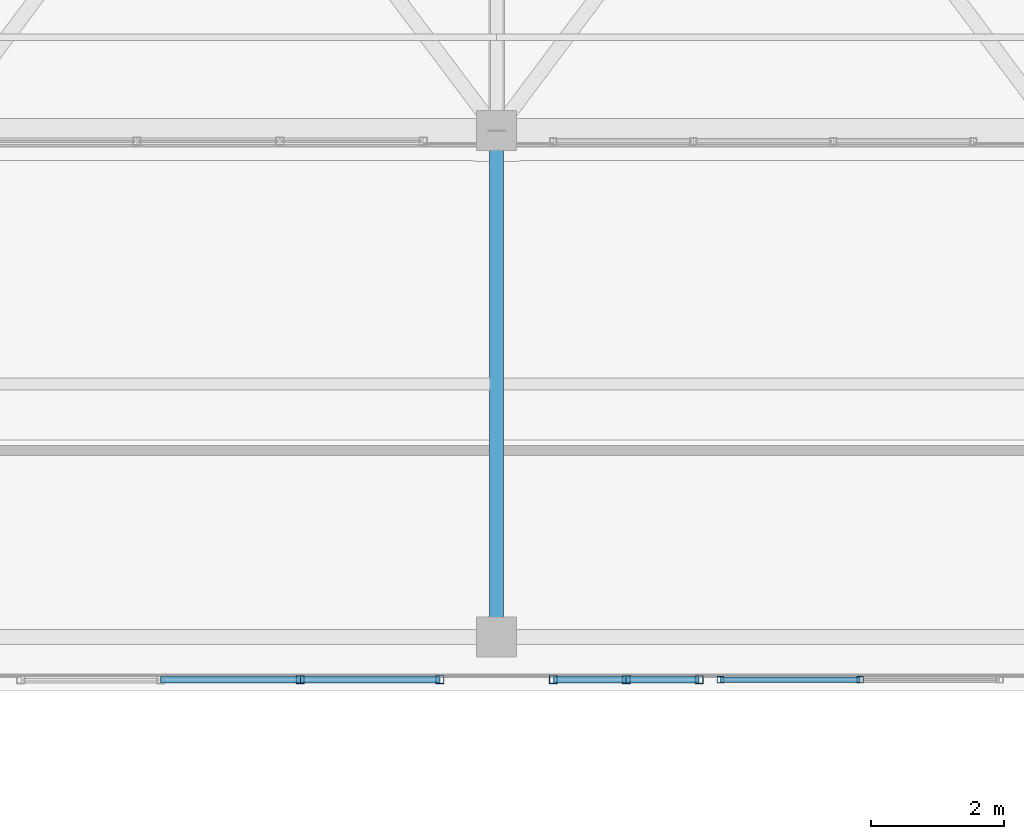
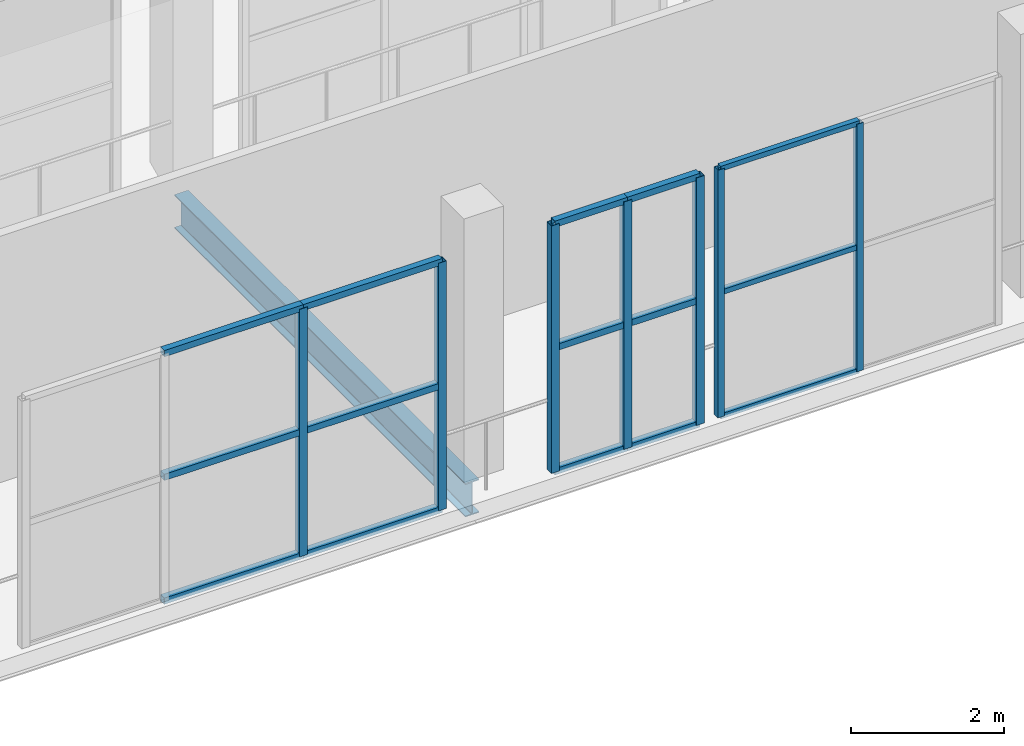
# One storey, part 85 of 217: 22 members, 1 beam, 3 elements without a shape of their own.
"""IFC4 building model written with IfcOpenShell, lengths in metres."""

from ifc_helpers import new_model, si_unit, direction, frame, origin, origin_2d, place, context, subcontext, project, spatial, hollow_rectangle, i_section, extrude, material, material_profile, profile_set, type_object, element, aggregate, save


model = new_model("IFC4")

# Units and contexts
model_context = context("Model", 3, precision=1e-05, world=origin(), true_north=direction((0.0, 1.0)))
body_context = subcontext(model_context, "Body", "Model", "MODEL_VIEW")
ifc_project = project(units=[si_unit("LENGTHUNIT", "METRE"), si_unit("AREAUNIT", "SQUARE_METRE"), si_unit("VOLUMEUNIT", "CUBIC_METRE"), si_unit("PLANEANGLEUNIT", "RADIAN"), si_unit("MASSUNIT", "GRAM", prefix="KILO")], contexts=[model_context])

# Site, building, storey
site_placement = place(None, origin())
site = spatial("IfcSite", under=ifc_project, at=site_placement, CompositionType="ELEMENT")
building_placement = place(site_placement, origin())
building = spatial("IfcBuilding", under=site, at=building_placement, Name="Zuvorla Pavilion Media Centre", CompositionType="ELEMENT")
storey_placement = place(building_placement, frame((0.0, 0.0, 9.60009765625)))
storey = spatial("IfcBuildingStorey", under=building, at=storey_placement, Name="L02", CompositionType="ELEMENT", Elevation=9.60009765625)

# Beam
ifc_material_1 = material(Name="Steel S355", Category="steel")
ifc_material_profile_1 = material_profile(ifc_material_1, i_section(OverallWidth=0.2099609375, OverallDepth=0.53662109375, WebThickness=0.0107421875, FlangeThickness=0.017333984375, FilletRadius=0.0126953125, at=origin_2d()), Name="UB 533x210x101")
ifc_profile_set_1 = profile_set([ifc_material_profile_1], Name="Steel S355")
beam_type = type_object("IfcBeamType", Name="BM-UB533", PredefinedType="BEAM", material=ifc_profile_set_1)
beam_placement = place(storey_placement, frame((108.800048828125, 82.0, -0.536376953125), z_axis=(0.0, 1.0, 0.0), x_axis=(-1.0, 0.0, 0.0)))
element("IfcBeam", 1, at=beam_placement, inside=storey, type_object=beam_type, Name="L02 beam B08 960", PredefinedType="BEAM", context=body_context, shape_type="SweptSolid", body=[
    extrude(i_section(OverallWidth=0.2099609375, OverallDepth=0.53662109375, WebThickness=0.0107421875, FlangeThickness=0.017333984375, FilletRadius=0.0126953125, at=origin_2d()), origin(), (0.0, 0.0, 1.0), 7.60009765625),
])

# Curtain wall, members
ifc_material_2 = material(Name="Unitised anodised aluminium and solar glass curtain wall", Category="aluminium")
curtain_wall_type_1 = type_object("IfcCurtainWallType", Name="CW-SYS-52", PredefinedType="USERDEFINED", material=ifc_material_2)
curtain_wall_1_placement = place(storey_placement, origin())
curtain_wall_1 = element("IfcCurtainWall", 2, at=curtain_wall_1_placement, inside=storey, type_object=curtain_wall_type_1, Name="L02 curtain wall CW52 78", ObjectType="CURTAIN WALL", PredefinedType="USERDEFINED")
ifc_material_3 = material(Name="Anodised aluminium 6063-T6", Category="aluminium")
ifc_material_profile_2 = material_profile(ifc_material_3, hollow_rectangle(XDim=0.10009765625, YDim=0.10009765625, WallThickness=0.00439453125, at=origin_2d()), Name="ALU MULL 100x100")
ifc_profile_set_2 = profile_set([ifc_material_profile_2], Name="Anodised aluminium 6063-T6")
member_type_1 = type_object("IfcMemberType", Name="CW-MULL-100", PredefinedType="MULLION", material=ifc_profile_set_2)
member_1_placement = place(storey_placement, frame((114.2548828125, 81.360107421875, 0.0), z_axis=(0.0, 0.0, 1.0), x_axis=(1.0, 0.0, 0.0)))
member_1 = element("IfcMember", 3, at=member_1_placement, type_object=member_type_1, Name="CW52 mullion 2", PredefinedType="MULLION", context=body_context, shape_type="SweptSolid", body=[
    extrude(hollow_rectangle(XDim=0.10009765625, YDim=0.10009765625, WallThickness=0.00439453125, at=origin_2d()), origin(), (0.0, 0.0, 1.0), 3.949951171875),
])
member_2_placement = place(storey_placement, frame((112.159912109375, 81.360107421875, 0.0), z_axis=(0.0, 0.0, 1.0), x_axis=(1.0, 0.0, 0.0)))
member_2 = element("IfcMember", 4, at=member_2_placement, type_object=member_type_1, Name="CW52 mullion 3", PredefinedType="MULLION", context=body_context, shape_type="SweptSolid", body=[
    extrude(hollow_rectangle(XDim=0.10009765625, YDim=0.10009765625, WallThickness=0.00439453125, at=origin_2d()), origin(), (0.0, 0.0, 1.0), 3.949951171875),
])

curtain_wall_type_2 = type_object("IfcCurtainWallType", Name="CW-SYS-50", PredefinedType="USERDEFINED", material=ifc_material_2)
curtain_wall_2_placement = place(storey_placement, origin())
curtain_wall_2 = element("IfcCurtainWall", 5, at=curtain_wall_2_placement, inside=storey, type_object=curtain_wall_type_2, Name="L02 curtain wall CW50 73", ObjectType="CURTAIN WALL", PredefinedType="USERDEFINED")
ifc_material_profile_3 = material_profile(ifc_material_3, hollow_rectangle(XDim=0.1201171875, YDim=0.1201171875, WallThickness=0.0048828125, at=origin_2d()), Name="ALU MULL 120x120")
ifc_profile_set_3 = profile_set([ifc_material_profile_3], Name="Anodised aluminium 6063-T6")
member_type_2 = type_object("IfcMemberType", Name="CW-MULL-120", PredefinedType="MULLION", material=ifc_profile_set_3)
member_3_placement = place(storey_placement, frame((111.840087890625, 81.360107421875, 0.0), z_axis=(0.0, 0.0, 1.0), x_axis=(1.0, 0.0, 0.0)))
member_3 = element("IfcMember", 6, at=member_3_placement, type_object=member_type_2, Name="CW50 mullion 1", PredefinedType="MULLION", context=body_context, shape_type="SweptSolid", body=[
    extrude(hollow_rectangle(XDim=0.1201171875, YDim=0.1201171875, WallThickness=0.0048828125, at=origin_2d()), origin(), (0.0, 0.0, 1.0), 3.949951171875),
])
member_4_placement = place(storey_placement, frame((110.7451171875, 81.360107421875, 0.0), z_axis=(0.0, 0.0, 1.0), x_axis=(1.0, 0.0, 0.0)))
member_4 = element("IfcMember", 7, at=member_4_placement, type_object=member_type_2, Name="CW50 mullion 2", PredefinedType="MULLION", context=body_context, shape_type="SweptSolid", body=[
    extrude(hollow_rectangle(XDim=0.1201171875, YDim=0.1201171875, WallThickness=0.0048828125, at=origin_2d()), origin(), (0.0, 0.0, 1.0), 3.949951171875),
])
member_5_placement = place(storey_placement, frame((109.650390625, 81.360107421875, 0.0), z_axis=(0.0, 0.0, 1.0), x_axis=(1.0, 0.0, 0.0)))
member_5 = element("IfcMember", 8, at=member_5_placement, type_object=member_type_2, Name="CW50 mullion 3", PredefinedType="MULLION", context=body_context, shape_type="SweptSolid", body=[
    extrude(hollow_rectangle(XDim=0.1201171875, YDim=0.1201171875, WallThickness=0.0048828125, at=origin_2d()), origin(), (0.0, 0.0, 1.0), 3.949951171875),
])

curtain_wall_type_3 = type_object("IfcCurtainWallType", Name="CW-SYS-12", PredefinedType="USERDEFINED", material=ifc_material_2)
curtain_wall_3_placement = place(storey_placement, origin())
curtain_wall_3 = element("IfcCurtainWall", 9, at=curtain_wall_3_placement, inside=storey, type_object=curtain_wall_type_3, Name="L02 curtain wall CW12 74", ObjectType="CURTAIN WALL", PredefinedType="USERDEFINED")
member_6_placement = place(storey_placement, frame((107.94970703125, 81.360107421875, 0.0), z_axis=(0.0, 0.0, 1.0), x_axis=(1.0, 0.0, 0.0)))
member_6 = element("IfcMember", 10, at=member_6_placement, type_object=member_type_2, Name="CW12 mullion 1", PredefinedType="MULLION", context=body_context, shape_type="SweptSolid", body=[
    extrude(hollow_rectangle(XDim=0.1201171875, YDim=0.1201171875, WallThickness=0.0048828125, at=origin_2d()), origin(), (0.0, 0.0, 1.0), 3.949951171875),
])
member_7_placement = place(storey_placement, frame((105.85302734375, 81.360107421875, 0.0), z_axis=(0.0, 0.0, 1.0), x_axis=(1.0, 0.0, 0.0)))
member_7 = element("IfcMember", 11, at=member_7_placement, type_object=member_type_2, Name="CW12 mullion 2", PredefinedType="MULLION", context=body_context, shape_type="SweptSolid", body=[
    extrude(hollow_rectangle(XDim=0.1201171875, YDim=0.1201171875, WallThickness=0.0048828125, at=origin_2d()), origin(), (0.0, 0.0, 1.0), 3.949951171875),
])

# Member
ifc_material_profile_4 = material_profile(ifc_material_3, hollow_rectangle(XDim=0.10009765625, YDim=0.10009765625, WallThickness=0.00439453125, at=origin_2d()), Name="ALU TRAN 100x100")
ifc_profile_set_4 = profile_set([ifc_material_profile_4], Name="Anodised aluminium 6063-T6")
member_type_3 = type_object("IfcMemberType", Name="CW-TRAN-100", PredefinedType="USERDEFINED", material=ifc_profile_set_4)
member_8_placement = place(storey_placement, frame((111.840087890625, 81.360107421875, 0.0), z_axis=(-1.0, 0.0, 0.0), x_axis=(0.0, -1.0, 0.0)))
member_8 = element("IfcMember", 12, at=member_8_placement, type_object=member_type_3, Name="CW50 transom 1.1", ObjectType="TRANSOM", PredefinedType="USERDEFINED", context=body_context, shape_type="SweptSolid", body=[
    extrude(hollow_rectangle(XDim=0.10009765625, YDim=0.10009765625, WallThickness=0.00439453125, at=origin_2d()), origin(), (0.0, 0.0, 1.0), 1.094970703125),
])

member_9_placement = place(storey_placement, frame((111.840087890625, 81.360107421875, 1.974853515625), z_axis=(-1.0, 0.0, 0.0), x_axis=(0.0, -1.0, 0.0)))
member_9 = element("IfcMember", 13, at=member_9_placement, type_object=member_type_3, Name="CW50 transom 1.2", ObjectType="TRANSOM", PredefinedType="USERDEFINED", context=body_context, shape_type="SweptSolid", body=[
    extrude(hollow_rectangle(XDim=0.10009765625, YDim=0.10009765625, WallThickness=0.00439453125, at=origin_2d()), origin(), (0.0, 0.0, 1.0), 1.094970703125),
])

member_10_placement = place(storey_placement, frame((111.840087890625, 81.360107421875, 3.949951171875), z_axis=(-1.0, 0.0, 0.0), x_axis=(0.0, -1.0, 0.0)))
member_10 = element("IfcMember", 14, at=member_10_placement, type_object=member_type_3, Name="CW50 transom 1.3", ObjectType="TRANSOM", PredefinedType="USERDEFINED", context=body_context, shape_type="SweptSolid", body=[
    extrude(hollow_rectangle(XDim=0.10009765625, YDim=0.10009765625, WallThickness=0.00439453125, at=origin_2d()), origin(), (0.0, 0.0, 1.0), 1.094970703125),
])

member_11_placement = place(storey_placement, frame((110.7451171875, 81.360107421875, 0.0), z_axis=(-1.0, 0.0, 0.0), x_axis=(0.0, -1.0, 0.0)))
member_11 = element("IfcMember", 15, at=member_11_placement, type_object=member_type_3, Name="CW50 transom 2.1", ObjectType="TRANSOM", PredefinedType="USERDEFINED", context=body_context, shape_type="SweptSolid", body=[
    extrude(hollow_rectangle(XDim=0.10009765625, YDim=0.10009765625, WallThickness=0.00439453125, at=origin_2d()), origin(), (0.0, 0.0, 1.0), 1.0947265625),
])

member_12_placement = place(storey_placement, frame((110.7451171875, 81.360107421875, 1.974853515625), z_axis=(-1.0, 0.0, 0.0), x_axis=(0.0, -1.0, 0.0)))
member_12 = element("IfcMember", 16, at=member_12_placement, type_object=member_type_3, Name="CW50 transom 2.2", ObjectType="TRANSOM", PredefinedType="USERDEFINED", context=body_context, shape_type="SweptSolid", body=[
    extrude(hollow_rectangle(XDim=0.10009765625, YDim=0.10009765625, WallThickness=0.00439453125, at=origin_2d()), origin(), (0.0, 0.0, 1.0), 1.0947265625),
])

member_13_placement = place(storey_placement, frame((110.7451171875, 81.360107421875, 3.949951171875), z_axis=(-1.0, 0.0, 0.0), x_axis=(0.0, -1.0, 0.0)))
member_13 = element("IfcMember", 17, at=member_13_placement, type_object=member_type_3, Name="CW50 transom 2.3", ObjectType="TRANSOM", PredefinedType="USERDEFINED", context=body_context, shape_type="SweptSolid", body=[
    extrude(hollow_rectangle(XDim=0.10009765625, YDim=0.10009765625, WallThickness=0.00439453125, at=origin_2d()), origin(), (0.0, 0.0, 1.0), 1.0947265625),
])

aggregate(curtain_wall_2, [member_3, member_4, member_5, member_8, member_9, member_10, member_11, member_12, member_13])

member_14_placement = place(storey_placement, frame((107.94970703125, 81.360107421875, 0.0), z_axis=(-1.0, 0.0, 0.0), x_axis=(0.0, -1.0, 0.0)))
member_14 = element("IfcMember", 18, at=member_14_placement, type_object=member_type_3, Name="CW12 transom 1.1", ObjectType="TRANSOM", PredefinedType="USERDEFINED", context=body_context, shape_type="SweptSolid", body=[
    extrude(hollow_rectangle(XDim=0.10009765625, YDim=0.10009765625, WallThickness=0.00439453125, at=origin_2d()), origin(), (0.0, 0.0, 1.0), 2.0966796875),
])

member_15_placement = place(storey_placement, frame((107.94970703125, 81.360107421875, 1.974853515625), z_axis=(-1.0, 0.0, 0.0), x_axis=(0.0, -1.0, 0.0)))
member_15 = element("IfcMember", 19, at=member_15_placement, type_object=member_type_3, Name="CW12 transom 1.2", ObjectType="TRANSOM", PredefinedType="USERDEFINED", context=body_context, shape_type="SweptSolid", body=[
    extrude(hollow_rectangle(XDim=0.10009765625, YDim=0.10009765625, WallThickness=0.00439453125, at=origin_2d()), origin(), (0.0, 0.0, 1.0), 2.0966796875),
])

member_16_placement = place(storey_placement, frame((107.94970703125, 81.360107421875, 3.949951171875), z_axis=(-1.0, 0.0, 0.0), x_axis=(0.0, -1.0, 0.0)))
member_16 = element("IfcMember", 20, at=member_16_placement, type_object=member_type_3, Name="CW12 transom 1.3", ObjectType="TRANSOM", PredefinedType="USERDEFINED", context=body_context, shape_type="SweptSolid", body=[
    extrude(hollow_rectangle(XDim=0.10009765625, YDim=0.10009765625, WallThickness=0.00439453125, at=origin_2d()), origin(), (0.0, 0.0, 1.0), 2.0966796875),
])

member_17_placement = place(storey_placement, frame((105.85302734375, 81.360107421875, 0.0), z_axis=(-1.0, 0.0, 0.0), x_axis=(0.0, -1.0, 0.0)))
member_17 = element("IfcMember", 21, at=member_17_placement, type_object=member_type_3, Name="CW12 transom 2.1", ObjectType="TRANSOM", PredefinedType="USERDEFINED", context=body_context, shape_type="SweptSolid", body=[
    extrude(hollow_rectangle(XDim=0.10009765625, YDim=0.10009765625, WallThickness=0.00439453125, at=origin_2d()), origin(), (0.0, 0.0, 1.0), 2.096435546875),
])

member_18_placement = place(storey_placement, frame((105.85302734375, 81.360107421875, 1.974853515625), z_axis=(-1.0, 0.0, 0.0), x_axis=(0.0, -1.0, 0.0)))
member_18 = element("IfcMember", 22, at=member_18_placement, type_object=member_type_3, Name="CW12 transom 2.2", ObjectType="TRANSOM", PredefinedType="USERDEFINED", context=body_context, shape_type="SweptSolid", body=[
    extrude(hollow_rectangle(XDim=0.10009765625, YDim=0.10009765625, WallThickness=0.00439453125, at=origin_2d()), origin(), (0.0, 0.0, 1.0), 2.096435546875),
])

member_19_placement = place(storey_placement, frame((105.85302734375, 81.360107421875, 3.949951171875), z_axis=(-1.0, 0.0, 0.0), x_axis=(0.0, -1.0, 0.0)))
member_19 = element("IfcMember", 23, at=member_19_placement, type_object=member_type_3, Name="CW12 transom 2.3", ObjectType="TRANSOM", PredefinedType="USERDEFINED", context=body_context, shape_type="SweptSolid", body=[
    extrude(hollow_rectangle(XDim=0.10009765625, YDim=0.10009765625, WallThickness=0.00439453125, at=origin_2d()), origin(), (0.0, 0.0, 1.0), 2.096435546875),
])

aggregate(curtain_wall_3, [member_6, member_7, member_14, member_15, member_16, member_17, member_18, member_19])

ifc_material_profile_5 = material_profile(ifc_material_3, hollow_rectangle(XDim=0.080078125, YDim=0.080078125, WallThickness=0.00390625, at=origin_2d()), Name="ALU TRAN 80x80")
ifc_profile_set_5 = profile_set([ifc_material_profile_5], Name="Anodised aluminium 6063-T6")
member_type_4 = type_object("IfcMemberType", Name="CW-TRAN-80", PredefinedType="USERDEFINED", material=ifc_profile_set_5)
member_20_placement = place(storey_placement, frame((114.2548828125, 81.360107421875, 0.0), z_axis=(-1.0, 0.0, 0.0), x_axis=(0.0, -1.0, 0.0)))
member_20 = element("IfcMember", 24, at=member_20_placement, type_object=member_type_4, Name="CW52 transom 2.1", ObjectType="TRANSOM", PredefinedType="USERDEFINED", context=body_context, shape_type="SweptSolid", body=[
    extrude(hollow_rectangle(XDim=0.080078125, YDim=0.080078125, WallThickness=0.00390625, at=origin_2d()), origin(), (0.0, 0.0, 1.0), 2.094970703125),
])

member_21_placement = place(storey_placement, frame((114.2548828125, 81.360107421875, 1.974853515625), z_axis=(-1.0, 0.0, 0.0), x_axis=(0.0, -1.0, 0.0)))
member_21 = element("IfcMember", 25, at=member_21_placement, type_object=member_type_4, Name="CW52 transom 2.2", ObjectType="TRANSOM", PredefinedType="USERDEFINED", context=body_context, shape_type="SweptSolid", body=[
    extrude(hollow_rectangle(XDim=0.080078125, YDim=0.080078125, WallThickness=0.00390625, at=origin_2d()), origin(), (0.0, 0.0, 1.0), 2.094970703125),
])

member_22_placement = place(storey_placement, frame((114.2548828125, 81.360107421875, 3.949951171875), z_axis=(-1.0, 0.0, 0.0), x_axis=(0.0, -1.0, 0.0)))
member_22 = element("IfcMember", 26, at=member_22_placement, type_object=member_type_4, Name="CW52 transom 2.3", ObjectType="TRANSOM", PredefinedType="USERDEFINED", context=body_context, shape_type="SweptSolid", body=[
    extrude(hollow_rectangle(XDim=0.080078125, YDim=0.080078125, WallThickness=0.00390625, at=origin_2d()), origin(), (0.0, 0.0, 1.0), 2.094970703125),
])

aggregate(curtain_wall_1, [member_1, member_2, member_20, member_21, member_22])

save(model, "model.ifc")
